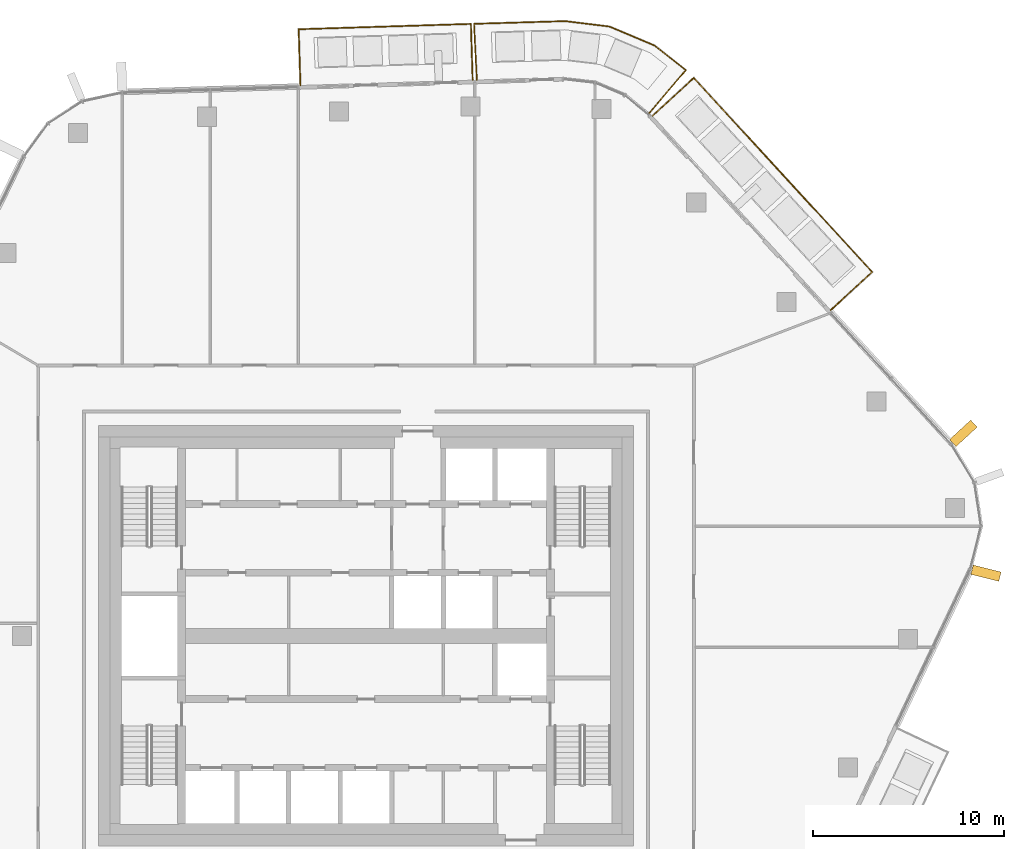
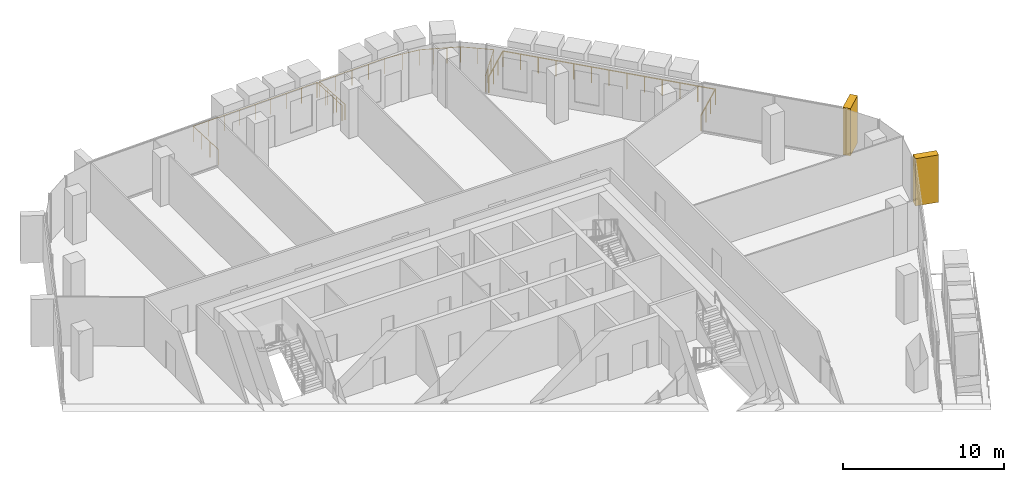
# One storey, part 24 of 24: 3 railings, 2 coverings, 2 elements without a shape of their own.
"""IFC4 building model written with IfcOpenShell, lengths in metres."""

from ifc_helpers import new_model, si_unit, direction, frame, origin, origin_2d, place, context, subcontext, project, spatial, rectangle, circle, extrude, material, layer, layer_set, material_profile, profile_set, type_object, element, aggregate, save


model = new_model("IFC4")

# Units and contexts
model_context = context("Model", 3, precision=1e-05, world=origin(), true_north=direction((0.0, 1.0)))
body_context = subcontext(model_context, "Body", "Model", "MODEL_VIEW")
ifc_project = project(units=[si_unit("LENGTHUNIT", "METRE"), si_unit("AREAUNIT", "SQUARE_METRE"), si_unit("VOLUMEUNIT", "CUBIC_METRE"), si_unit("PLANEANGLEUNIT", "RADIAN"), si_unit("MASSUNIT", "GRAM", prefix="KILO")], contexts=[model_context])

# Site, building, storey
site_placement = place(None, origin())
site = spatial("IfcSite", under=ifc_project, at=site_placement, CompositionType="ELEMENT")
building_placement = place(site_placement, origin())
building = spatial("IfcBuilding", under=site, at=building_placement, Name="Dongbaek Canopy Tower", CompositionType="ELEMENT")
storey_placement = place(building_placement, frame((0.0, 0.0, 348.800048828125)))
storey = spatial("IfcBuildingStorey", under=building, at=storey_placement, Name="L75", CompositionType="ELEMENT", Elevation=348.800048828125)

# Railings
ifc_material_1 = material(Name="Stainless steel", Category="steel")
railing_type = type_object("IfcRailingType", Name="Balcony balustrade 1200", PredefinedType="BALUSTRADE", material=ifc_material_1)
railing_1_placement = place(storey_placement, frame((24.31201171875, 17.046630859375, 0.0)))
element("IfcRailing", 1, at=railing_1_placement, inside=storey, type_object=railing_type, Name="Balcony guard L75 1", PredefinedType="BALUSTRADE", context=body_context, shape_type="SweptSolid", body=[
    extrude(circle(Radius=0.02392578125, at=origin_2d()), frame((0.0, 0.0, 1.17578125), z_axis=(0.736567880195, 0.676363628432, 0.0), x_axis=(-0.676363628432, 0.736567880195, 0.0)), (0.0, 0.0, 1.0), 2.93994140625),
    extrude(circle(Radius=0.02392578125, at=origin_2d()), frame((2.16552734375, 1.988525390625, 1.17578125), z_axis=(-0.676356791447, 0.736574158292, 0.0), x_axis=(-0.736574158292, -0.676356791447, 0.0)), (0.0, 0.0, 1.0), 13.792724609375),
    extrude(circle(Radius=0.02392578125, at=origin_2d()), frame((-7.163330078125, 12.14794921875, 1.17578125), z_axis=(-0.736567880195, -0.676363628432, 0.0), x_axis=(0.676363628432, -0.736567880195, 0.0)), (0.0, 0.0, 1.0), 2.93994140625),
    extrude(circle(Radius=0.02099609375, at=origin_2d()), origin(), (0.0, 0.0, 1.0), 1.15185546875),
    extrude(circle(Radius=0.02099609375, at=origin_2d()), frame((0.721923828125, 0.662841796875, 0.0)), (0.0, 0.0, 1.0), 1.15185546875),
    extrude(circle(Radius=0.02099609375, at=origin_2d()), frame((1.443603515625, 1.32568359375, 0.0)), (0.0, 0.0, 1.0), 1.15185546875),
    extrude(circle(Radius=0.02099609375, at=origin_2d()), frame((2.16552734375, 1.988525390625, 0.0)), (0.0, 0.0, 1.0), 1.15185546875),
    extrude(circle(Radius=0.02099609375, at=origin_2d()), frame((1.38818359375, 2.835205078125, 0.0)), (0.0, 0.0, 1.0), 1.15185546875),
    extrude(circle(Radius=0.02099609375, at=origin_2d()), frame((0.61083984375, 3.681640625, 0.0)), (0.0, 0.0, 1.0), 1.15185546875),
    extrude(circle(Radius=0.02099609375, at=origin_2d()), frame((-0.166748046875, 4.5283203125, 0.0)), (0.0, 0.0, 1.0), 1.15185546875),
    extrude(circle(Radius=0.02099609375, at=origin_2d()), frame((-0.944091796875, 5.375, 0.0)), (0.0, 0.0, 1.0), 1.15185546875),
    extrude(circle(Radius=0.02099609375, at=origin_2d()), frame((-1.721435546875, 6.2216796875, 0.0)), (0.0, 0.0, 1.0), 1.15185546875),
    extrude(circle(Radius=0.02099609375, at=origin_2d()), frame((-2.4990234375, 7.068359375, 0.0)), (0.0, 0.0, 1.0), 1.15185546875),
    extrude(circle(Radius=0.02099609375, at=origin_2d()), frame((-3.2763671875, 7.914794921875, 0.0)), (0.0, 0.0, 1.0), 1.15185546875),
    extrude(circle(Radius=0.02099609375, at=origin_2d()), frame((-4.0537109375, 8.761474609375, 0.0)), (0.0, 0.0, 1.0), 1.15185546875),
    extrude(circle(Radius=0.02099609375, at=origin_2d()), frame((-4.8310546875, 9.608154296875, 0.0)), (0.0, 0.0, 1.0), 1.15185546875),
    extrude(circle(Radius=0.02099609375, at=origin_2d()), frame((-5.6083984375, 10.45458984375, 0.0)), (0.0, 0.0, 1.0), 1.15185546875),
    extrude(circle(Radius=0.02099609375, at=origin_2d()), frame((-6.385986328125, 11.30126953125, 0.0)), (0.0, 0.0, 1.0), 1.15185546875),
    extrude(circle(Radius=0.02099609375, at=origin_2d()), frame((-7.163330078125, 12.14794921875, 0.0)), (0.0, 0.0, 1.0), 1.15185546875),
    extrude(circle(Radius=0.02099609375, at=origin_2d()), frame((-7.88525390625, 11.485107421875, 0.0)), (0.0, 0.0, 1.0), 1.15185546875),
    extrude(circle(Radius=0.02099609375, at=origin_2d()), frame((-8.60693359375, 10.822265625, 0.0)), (0.0, 0.0, 1.0), 1.15185546875),
    extrude(circle(Radius=0.02099609375, at=origin_2d()), frame((-9.328857421875, 10.159423828125, 0.0)), (0.0, 0.0, 1.0), 1.15185546875),
])
railing_2_placement = place(storey_placement, frame((5.5791015625, 29.079345703125, 0.0)))
element("IfcRailing", 2, at=railing_2_placement, inside=storey, type_object=railing_type, Name="Balcony guard L75 2", PredefinedType="BALUSTRADE", context=body_context, shape_type="SweptSolid", body=[
    extrude(circle(Radius=0.02392578125, at=origin_2d()), frame((0.0, 0.0, 1.17578125), z_axis=(-0.031055877799, 0.999517649896, 0.0), x_axis=(-0.999517649896, -0.031055877799, 0.0)), (0.0, 0.0, 1.0), 2.940185546875),
    extrude(circle(Radius=0.02392578125, at=origin_2d()), frame((-0.09130859375, 2.938720703125, 1.17578125), z_axis=(-0.999518948867, -0.031014042884, 0.0), x_axis=(0.031014042884, -0.999518948867, 0.0)), (0.0, 0.0, 1.0), 9.013427734375),
    extrude(circle(Radius=0.02392578125, at=origin_2d()), frame((-9.100341796875, 2.6591796875, 1.17578125), z_axis=(0.031055877799, -0.999517649896, 0.0), x_axis=(0.999517649896, 0.031055877799, 0.0)), (0.0, 0.0, 1.0), 2.940185546875),
    extrude(circle(Radius=0.02099609375, at=origin_2d()), origin(), (0.0, 0.0, 1.0), 1.15185546875),
    extrude(circle(Radius=0.02099609375, at=origin_2d()), frame((-0.030517578125, 0.9794921875, 0.0)), (0.0, 0.0, 1.0), 1.15185546875),
    extrude(circle(Radius=0.02099609375, at=origin_2d()), frame((-0.060791015625, 1.959228515625, 0.0)), (0.0, 0.0, 1.0), 1.15185546875),
    extrude(circle(Radius=0.02099609375, at=origin_2d()), frame((-0.09130859375, 2.938720703125, 0.0)), (0.0, 0.0, 1.0), 1.15185546875),
    extrude(circle(Radius=0.02099609375, at=origin_2d()), frame((-1.217529296875, 2.90380859375, 0.0)), (0.0, 0.0, 1.0), 1.15185546875),
    extrude(circle(Radius=0.02099609375, at=origin_2d()), frame((-2.343505859375, 2.868896484375, 0.0)), (0.0, 0.0, 1.0), 1.15185546875),
    extrude(circle(Radius=0.02099609375, at=origin_2d()), frame((-3.4697265625, 2.833984375, 0.0)), (0.0, 0.0, 1.0), 1.15185546875),
    extrude(circle(Radius=0.02099609375, at=origin_2d()), frame((-4.595703125, 2.798828125, 0.0)), (0.0, 0.0, 1.0), 1.15185546875),
    extrude(circle(Radius=0.02099609375, at=origin_2d()), frame((-5.721923828125, 2.763916015625, 0.0)), (0.0, 0.0, 1.0), 1.15185546875),
    extrude(circle(Radius=0.02099609375, at=origin_2d()), frame((-6.84814453125, 2.72900390625, 0.0)), (0.0, 0.0, 1.0), 1.15185546875),
    extrude(circle(Radius=0.02099609375, at=origin_2d()), frame((-7.97412109375, 2.694091796875, 0.0)), (0.0, 0.0, 1.0), 1.15185546875),
    extrude(circle(Radius=0.02099609375, at=origin_2d()), frame((-9.100341796875, 2.6591796875, 0.0)), (0.0, 0.0, 1.0), 1.15185546875),
    extrude(circle(Radius=0.02099609375, at=origin_2d()), frame((-9.06982421875, 1.6796875, 0.0)), (0.0, 0.0, 1.0), 1.15185546875),
    extrude(circle(Radius=0.02099609375, at=origin_2d()), frame((-9.03955078125, 0.699951171875, 0.0)), (0.0, 0.0, 1.0), 1.15185546875),
    extrude(circle(Radius=0.02099609375, at=origin_2d()), frame((-9.009033203125, -0.279541015625, 0.0)), (0.0, 0.0, 1.0), 1.15185546875),
])
railing_3_placement = place(storey_placement, frame((14.82373046875, 27.3564453125, 0.0)))
element("IfcRailing", 3, at=railing_3_placement, inside=storey, type_object=railing_type, Name="Balcony guard L75 6", PredefinedType="BALUSTRADE", context=body_context, shape_type="SweptSolid", body=[
    extrude(circle(Radius=0.02392578125, at=origin_2d()), frame((0.0, 0.0, 1.17578125), z_axis=(0.648168826179, 0.761496666289, 0.0), x_axis=(-0.761496666289, 0.648168826179, 0.0)), (0.0, 0.0, 1.0), 2.940673828125),
    extrude(circle(Radius=0.02392578125, at=origin_2d()), frame((1.906005859375, 2.2392578125, 1.17578125), z_axis=(-0.783584295669, 0.621285483157, 0.0), x_axis=(-0.621285483157, -0.783584295669, 0.0)), (0.0, 0.0, 1.0), 2.081787109375),
    extrude(circle(Radius=0.02392578125, at=origin_2d()), frame((0.274658203125, 3.53271484375, 1.17578125), z_axis=(-0.921660594861, 0.387997097774, 0.0), x_axis=(-0.387997097774, -0.921660594861, 0.0)), (0.0, 0.0, 1.0), 2.551025390625),
    extrude(circle(Radius=0.02392578125, at=origin_2d()), frame((-2.076416015625, 4.5224609375, 1.17578125), z_axis=(-0.992585875393, 0.121545382347, 0.0), x_axis=(-0.121545382347, -0.992585875393, 0.0)), (0.0, 0.0, 1.0), 2.342041015625),
    extrude(circle(Radius=0.02392578125, at=origin_2d()), frame((-4.401123046875, 4.80712890625, 1.17578125), z_axis=(-0.999566605211, -0.029438100246, 0.0), x_axis=(0.029438100246, -0.999566605211, 0.0)), (0.0, 0.0, 1.0), 4.77685546875),
    extrude(circle(Radius=0.02392578125, at=origin_2d()), frame((-9.176025390625, 4.66650390625, 1.17578125), z_axis=(0.051390976809, -0.998678610716, 0.0), x_axis=(0.998678610716, 0.051390976809, 0.0)), (0.0, 0.0, 1.0), 2.940673828125),
    extrude(circle(Radius=0.02099609375, at=origin_2d()), origin(), (0.0, 0.0, 1.0), 1.15185546875),
    extrude(circle(Radius=0.02099609375, at=origin_2d()), frame((0.63525390625, 0.746337890625, 0.0)), (0.0, 0.0, 1.0), 1.15185546875),
    extrude(circle(Radius=0.02099609375, at=origin_2d()), frame((1.270751953125, 1.492919921875, 0.0)), (0.0, 0.0, 1.0), 1.15185546875),
    extrude(circle(Radius=0.02099609375, at=origin_2d()), frame((1.906005859375, 2.2392578125, 0.0)), (0.0, 0.0, 1.0), 1.15185546875),
    extrude(circle(Radius=0.02099609375, at=origin_2d()), frame((1.09033203125, 2.885986328125, 0.0)), (0.0, 0.0, 1.0), 1.15185546875),
    extrude(circle(Radius=0.02099609375, at=origin_2d()), frame((0.274658203125, 3.53271484375, 0.0)), (0.0, 0.0, 1.0), 1.15185546875),
    extrude(circle(Radius=0.02099609375, at=origin_2d()), frame((-0.509033203125, 3.862548828125, 0.0)), (0.0, 0.0, 1.0), 1.15185546875),
    extrude(circle(Radius=0.02099609375, at=origin_2d()), frame((-1.292724609375, 4.192626953125, 0.0)), (0.0, 0.0, 1.0), 1.15185546875),
    extrude(circle(Radius=0.02099609375, at=origin_2d()), frame((-2.076416015625, 4.5224609375, 0.0)), (0.0, 0.0, 1.0), 1.15185546875),
    extrude(circle(Radius=0.02099609375, at=origin_2d()), frame((-3.23876953125, 4.664794921875, 0.0)), (0.0, 0.0, 1.0), 1.15185546875),
    extrude(circle(Radius=0.02099609375, at=origin_2d()), frame((-4.401123046875, 4.80712890625, 0.0)), (0.0, 0.0, 1.0), 1.15185546875),
    extrude(circle(Radius=0.02099609375, at=origin_2d()), frame((-5.5947265625, 4.77197265625, 0.0)), (0.0, 0.0, 1.0), 1.15185546875),
    extrude(circle(Radius=0.02099609375, at=origin_2d()), frame((-6.78857421875, 4.73681640625, 0.0)), (0.0, 0.0, 1.0), 1.15185546875),
    extrude(circle(Radius=0.02099609375, at=origin_2d()), frame((-7.982421875, 4.70166015625, 0.0)), (0.0, 0.0, 1.0), 1.15185546875),
    extrude(circle(Radius=0.02099609375, at=origin_2d()), frame((-9.176025390625, 4.66650390625, 0.0)), (0.0, 0.0, 1.0), 1.15185546875),
    extrude(circle(Radius=0.02099609375, at=origin_2d()), frame((-9.125732421875, 3.6875, 0.0)), (0.0, 0.0, 1.0), 1.15185546875),
    extrude(circle(Radius=0.02099609375, at=origin_2d()), frame((-9.0751953125, 2.708740234375, 0.0)), (0.0, 0.0, 1.0), 1.15185546875),
    extrude(circle(Radius=0.02099609375, at=origin_2d()), frame((-9.02490234375, 1.729736328125, 0.0)), (0.0, 0.0, 1.0), 1.15185546875),
])

# Curtain wall, covering
ifc_material_2 = material(Name="Aluminium 6063-T6 pale anodised", Category="aluminium")
ifc_layer = layer(ifc_material_2, 0.199951171875)
ifc_layer_set = layer_set([ifc_layer], Name="CW-1 unitised tower curtain wall")
curtain_wall_type = type_object("IfcCurtainWallType", Name="CW-1 unitised tower curtain wall", PredefinedType="NOTDEFINED", material=ifc_layer_set)
curtain_wall_1_placement = place(storey_placement, origin())
curtain_wall_1 = element("IfcCurtainWall", 4, at=curtain_wall_1_placement, inside=storey, type_object=curtain_wall_type, Name="CW-1 curtain wall K0.1", PredefinedType="NOTDEFINED")
ifc_material_3 = material(Name="Aluminium 6063-T6 pale metal fin", Category="aluminium")
ifc_material_profile = material_profile(ifc_material_3, rectangle(XDim=1.5, YDim=0.5, at=origin_2d()), Name="Fin FN1 500 x 1500 pale metal")
ifc_profile_set = profile_set([ifc_material_profile], Name="Aluminium 6063-T6 pale metal fin")
covering_type = type_object("IfcCoveringType", Name="Fin FN1 500 x 1500 pale metal", PredefinedType="CLADDING", material=ifc_profile_set)
covering_1_placement = place(storey_placement, frame((32.436767578125, 3.282958984375, 0.119873046875), z_axis=(0.0, 0.0, 1.0), x_axis=(0.970078061665, -0.242793233587, 0.0)))
covering_1 = element("IfcCovering", 5, at=covering_1_placement, type_object=covering_type, Name="Fin K0.1.1", PredefinedType="CLADDING", context=body_context, shape_type="SweptSolid", body=[
    extrude(rectangle(XDim=1.5, YDim=0.5, at=origin_2d()), origin(), (0.0, 0.0, 1.0), 3.580078125),
])
aggregate(curtain_wall_1, [covering_1])

curtain_wall_2_placement = place(storey_placement, origin())
curtain_wall_2 = element("IfcCurtainWall", 6, at=curtain_wall_2_placement, inside=storey, type_object=curtain_wall_type, Name="CW-1 curtain wall F0.1", PredefinedType="NOTDEFINED")
covering_2_placement = place(storey_placement, frame((31.250732421875, 10.599365234375, 0.119873046875), z_axis=(0.0, 0.0, 1.0), x_axis=(0.736566571941, 0.676365053133, 0.0)))
covering_2 = element("IfcCovering", 7, at=covering_2_placement, type_object=covering_type, Name="Fin F0.1.1", PredefinedType="CLADDING", context=body_context, shape_type="SweptSolid", body=[
    extrude(rectangle(XDim=1.5, YDim=0.5, at=origin_2d()), origin(), (0.0, 0.0, 1.0), 3.580078125),
])
aggregate(curtain_wall_2, [covering_2])

save(model, "model.ifc")
